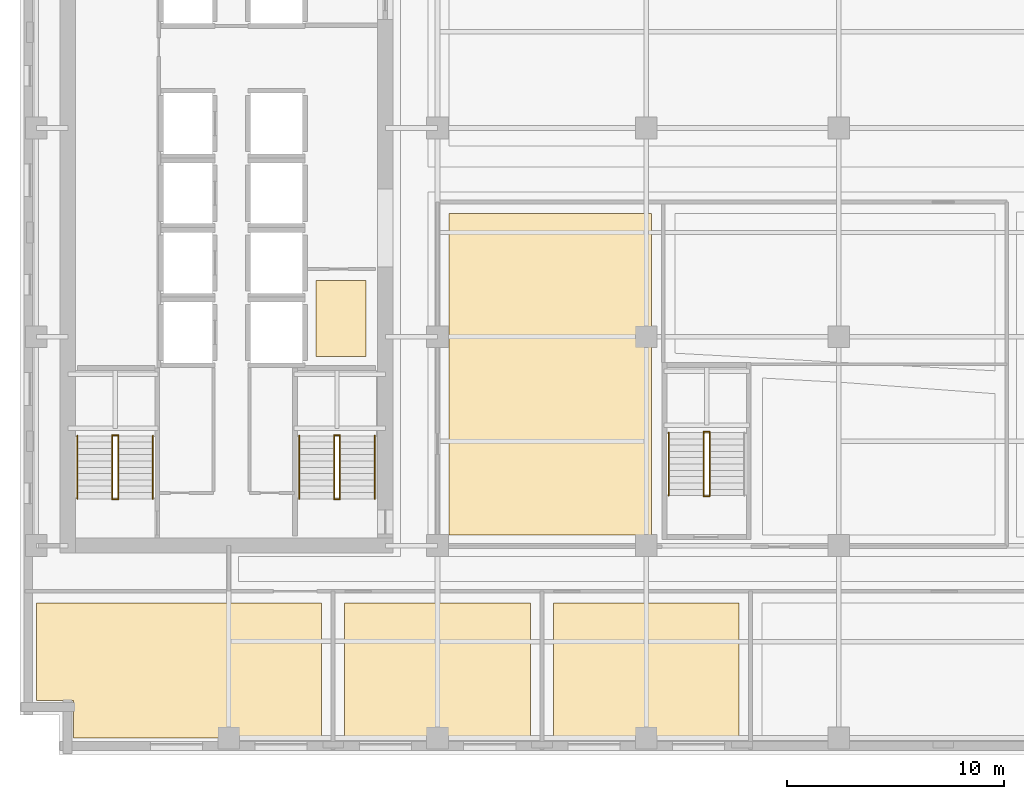
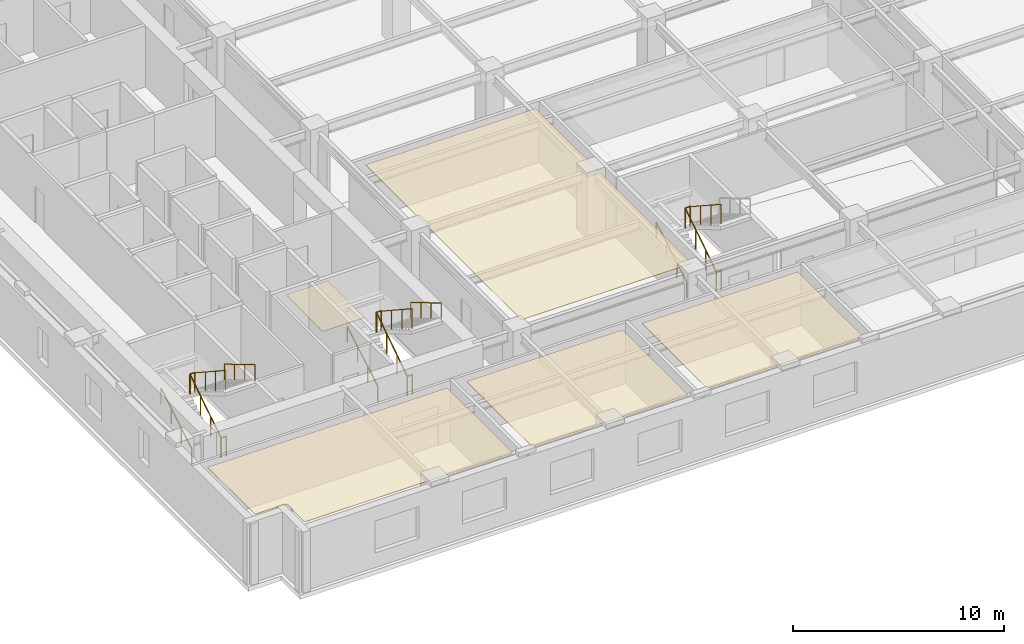
# One storey, part 7 of 11: 17 railings, 5 coverings.
"""IFC4 building model written with IfcOpenShell, lengths in metres."""

from ifc_helpers import new_model, si_unit, direction, frame, origin, origin_2d, place, context, subcontext, project, spatial, polyline, circle, outline, extrude, material, layer, layer_set, type_object, element, save


model = new_model("IFC4")

# Units and contexts
model_context = context("Model", 3, precision=1e-05, world=origin(), true_north=direction((0.0, 1.0)))
body_context = subcontext(model_context, "Body", "Model", "MODEL_VIEW")
ifc_project = project(units=[si_unit("LENGTHUNIT", "METRE"), si_unit("AREAUNIT", "SQUARE_METRE"), si_unit("VOLUMEUNIT", "CUBIC_METRE"), si_unit("PLANEANGLEUNIT", "RADIAN"), si_unit("MASSUNIT", "GRAM", prefix="KILO")], contexts=[model_context])

# Site, building, storey
site_placement = place(None, origin())
site = spatial("IfcSite", under=ifc_project, at=site_placement, CompositionType="ELEMENT")
building_placement = place(site_placement, origin())
building = spatial("IfcBuilding", under=site, at=building_placement, Name="Norrvale University Quadrangle", CompositionType="ELEMENT")
storey_placement = place(building_placement, frame((0.0, 0.0, 120.39990234375)))
storey = spatial("IfcBuildingStorey", under=building, at=storey_placement, Name="L30", CompositionType="ELEMENT", Elevation=120.39990234375)

# Coverings
ifc_material_1 = material(Name="Perforated Acoustic Mineral Ceiling")
ifc_layer_1 = layer(ifc_material_1, 0.02490234375, Name="Perforated Acoustic Mineral Ceiling")
ifc_layer_set_1 = layer_set([ifc_layer_1], Name="Perforated Acoustic Mineral Ceiling")
covering_type_1 = type_object("IfcCoveringType", Name="Covering Acoustic Ceiling 25", PredefinedType="CEILING", material=ifc_layer_set_1)
covering_1_placement = place(storey_placement, frame((0.0, 0.0, 3.51513671875)))
element("IfcCovering", 1, at=covering_1_placement, inside=storey, type_object=covering_type_1, Name="Acoustic Ceiling RM-L30-S01", PredefinedType="CEILING", context=body_context, shape_type="SweptSolid", body=[
    extrude(outline(polyline([(0.75, 6.969970703125), (13.8701171875, 6.969970703125), (13.8701171875, 0.75), (2.469970703125, 0.75), (2.469970703125, 2.469970703125), (0.75, 2.469970703125), (0.75, 6.969970703125)])), origin(), (0.0, 0.0, 1.0), 0.02490234375),
])
covering_2_placement = place(storey_placement, frame((0.0, 0.0, 3.51513671875)))
element("IfcCovering", 2, at=covering_2_placement, inside=storey, type_object=covering_type_1, Name="Acoustic Ceiling RM-L30-S02", PredefinedType="CEILING", context=body_context, shape_type="SweptSolid", body=[
    extrude(outline(polyline([(14.929931640625, 6.969970703125), (23.469970703125, 6.969970703125), (23.469970703125, 0.75), (14.929931640625, 0.75), (14.929931640625, 6.969970703125)])), origin(), (0.0, 0.0, 1.0), 0.02490234375),
])
covering_3_placement = place(storey_placement, frame((0.0, 0.0, 3.51513671875)))
element("IfcCovering", 3, at=covering_3_placement, inside=storey, type_object=covering_type_1, Name="Acoustic Ceiling RM-L30-S03", PredefinedType="CEILING", context=body_context, shape_type="SweptSolid", body=[
    extrude(outline(polyline([(24.530029296875, 6.969970703125), (33.070068359375, 6.969970703125), (33.070068359375, 0.75), (24.530029296875, 0.75), (24.530029296875, 6.969970703125)])), origin(), (0.0, 0.0, 1.0), 0.02490234375),
])
covering_4_placement = place(storey_placement, frame((0.0, 0.0, 3.51513671875)))
element("IfcCovering", 4, at=covering_4_placement, inside=storey, type_object=covering_type_1, Name="Acoustic Ceiling RM-L30-IW1", PredefinedType="CEILING", context=body_context, shape_type="SweptSolid", body=[
    extrude(outline(polyline([(19.72998046875, 10.080078125), (19.72998046875, 24.8701171875), (29.050048828125, 24.8701171875), (29.050048828125, 10.080078125), (19.72998046875, 10.080078125)])), origin(), (0.0, 0.0, 1.0), 0.02490234375),
])
ifc_material_2 = material(Name="Polished Terrazzo Flooring")
ifc_layer_2 = layer(ifc_material_2, 0.02490234375, Name="Polished Terrazzo Flooring")
ifc_layer_set_2 = layer_set([ifc_layer_2], Name="Polished Terrazzo Flooring")
covering_type_2 = type_object("IfcCoveringType", Name="Covering Terrazzo Floor 30", PredefinedType="FLOORING", material=ifc_layer_set_2)
covering_5_placement = place(storey_placement, origin())
element("IfcCovering", 5, at=covering_5_placement, inside=storey, type_object=covering_type_2, Name="Terrazzo Flooring RM-L30-JAN", PredefinedType="FLOORING", context=body_context, shape_type="SweptSolid", body=[
    extrude(outline(polyline([(13.60009765625, 18.300048828125), (13.60009765625, 21.800048828125), (15.89990234375, 21.800048828125), (15.89990234375, 18.300048828125), (13.60009765625, 18.300048828125)])), origin(), (0.0, 0.0, 1.0), 0.025146484375),
])

# Railings
ifc_material_3 = material(Name="Steel 350W Painted Balustrade", Category="steel")
railing_type_1 = type_object("IfcRailingType", Name="Railing Stair Guard 1100", PredefinedType="GUARDRAIL", material=ifc_material_3)
for number, where, name in (
    (6, (4.239990234375, 11.719970703125, 0.0), "Stair Floor Well Guard ST-01 L30"),
    (7, (4.239990234375, 14.679931640625, 1.900146484375), "Stair Mid-Landing Slot Guard ST-01 L30"),
):
    element("IfcRailing", number, at=place(storey_placement, frame(where)), inside=storey, type_object=railing_type_1, Name=name, PredefinedType="GUARDRAIL", context=body_context, shape_type="SweptSolid", body=[
        extrude(circle(Radius=0.02392578125, at=origin_2d()), frame((0.0, 0.0, 1.1259765625), z_axis=(1.0, 0.0, 0.0), x_axis=(0.0, 1.0, 0.0)), (0.0, 0.0, 1.0), 0.27001953125),
        extrude(circle(Radius=0.02099609375, at=origin_2d()), origin(), (0.0, 0.0, 1.0), 1.101806640625),
        extrude(circle(Radius=0.02099609375, at=origin_2d()), frame((0.27001953125, 0.0, 0.0)), (0.0, 0.0, 1.0), 1.101806640625),
    ])
railing_1_placement = place(storey_placement, frame((4.239990234375, 11.75, 0.0)))
element("IfcRailing", 8, at=railing_1_placement, inside=storey, type_object=railing_type_1, Name="Stair Lower Flight Inner Guard ST-01 L30", PredefinedType="GUARDRAIL", context=body_context, shape_type="SweptSolid", body=[
    extrude(circle(Radius=0.02392578125, at=origin_2d()), frame((0.0, 0.0, 1.1259765625), z_axis=(0.0, 0.836433300813, 0.548068730445), x_axis=(-1.0, 0.0, 0.0)), (0.0, 0.0, 1.0), 3.467041015625),
    extrude(circle(Radius=0.02099609375, at=origin_2d()), origin(), (0.0, 0.0, 1.0), 1.101806640625),
    extrude(circle(Radius=0.02099609375, at=origin_2d()), frame((0.0, 0.966552734375, 0.63330078125)), (0.0, 0.0, 1.0), 1.101806640625),
    extrude(circle(Radius=0.02099609375, at=origin_2d()), frame((0.0, 1.933349609375, 1.266845703125)), (0.0, 0.0, 1.0), 1.101806640625),
    extrude(circle(Radius=0.02099609375, at=origin_2d()), frame((0.0, 2.89990234375, 1.900146484375)), (0.0, 0.0, 1.0), 1.101806640625),
])
railing_2_placement = place(storey_placement, frame((4.510009765625, 14.64990234375, 1.900146484375)))
element("IfcRailing", 9, at=railing_2_placement, inside=storey, type_object=railing_type_1, Name="Stair Upper Flight Inner Guard ST-01 L30", PredefinedType="GUARDRAIL", context=body_context, shape_type="SweptSolid", body=[
    extrude(circle(Radius=0.02392578125, at=origin_2d()), frame((0.0, 0.0, 1.1259765625), z_axis=(0.0, -0.836465582154, 0.548019461216), x_axis=(1.0, 0.0, 0.0)), (0.0, 0.0, 1.0), 3.466796875),
    extrude(circle(Radius=0.02099609375, at=origin_2d()), origin(), (0.0, 0.0, 1.0), 1.101806640625),
    extrude(circle(Radius=0.02099609375, at=origin_2d()), frame((0.0, -0.966552734375, 0.63330078125)), (0.0, 0.0, 1.0), 1.101806640625),
    extrude(circle(Radius=0.02099609375, at=origin_2d()), frame((0.0, -1.933349609375, 1.2666015625)), (0.0, 0.0, 1.0), 1.101806640625),
    extrude(circle(Radius=0.02099609375, at=origin_2d()), frame((0.0, -2.89990234375, 1.89990234375)), (0.0, 0.0, 1.0), 1.101806640625),
])
for number, where, name in (
    (10, (14.43994140625, 11.719970703125, 0.0), "Stair Floor Well Guard ST-03 L30"),
    (11, (14.43994140625, 14.679931640625, 1.900146484375), "Stair Mid-Landing Slot Guard ST-03 L30"),
):
    element("IfcRailing", number, at=place(storey_placement, frame(where)), inside=storey, type_object=railing_type_1, Name=name, PredefinedType="GUARDRAIL", context=body_context, shape_type="SweptSolid", body=[
        extrude(circle(Radius=0.02392578125, at=origin_2d()), frame((0.0, 0.0, 1.1259765625), z_axis=(1.0, 0.0, 0.0), x_axis=(0.0, 1.0, 0.0)), (0.0, 0.0, 1.0), 0.27001953125),
        extrude(circle(Radius=0.02099609375, at=origin_2d()), origin(), (0.0, 0.0, 1.0), 1.101806640625),
        extrude(circle(Radius=0.02099609375, at=origin_2d()), frame((0.27001953125, 0.0, 0.0)), (0.0, 0.0, 1.0), 1.101806640625),
    ])
railing_3_placement = place(storey_placement, frame((14.43994140625, 11.75, 0.0)))
element("IfcRailing", 12, at=railing_3_placement, inside=storey, type_object=railing_type_1, Name="Stair Lower Flight Inner Guard ST-03 L30", PredefinedType="GUARDRAIL", context=body_context, shape_type="SweptSolid", body=[
    extrude(circle(Radius=0.02392578125, at=origin_2d()), frame((0.0, 0.0, 1.1259765625), z_axis=(0.0, 0.836433300813, 0.548068730445), x_axis=(-1.0, 0.0, 0.0)), (0.0, 0.0, 1.0), 3.467041015625),
    extrude(circle(Radius=0.02099609375, at=origin_2d()), origin(), (0.0, 0.0, 1.0), 1.101806640625),
    extrude(circle(Radius=0.02099609375, at=origin_2d()), frame((0.0, 0.966552734375, 0.63330078125)), (0.0, 0.0, 1.0), 1.101806640625),
    extrude(circle(Radius=0.02099609375, at=origin_2d()), frame((0.0, 1.933349609375, 1.266845703125)), (0.0, 0.0, 1.0), 1.101806640625),
    extrude(circle(Radius=0.02099609375, at=origin_2d()), frame((0.0, 2.89990234375, 1.900146484375)), (0.0, 0.0, 1.0), 1.101806640625),
])
railing_4_placement = place(storey_placement, frame((14.7099609375, 14.64990234375, 1.900146484375)))
element("IfcRailing", 13, at=railing_4_placement, inside=storey, type_object=railing_type_1, Name="Stair Upper Flight Inner Guard ST-03 L30", PredefinedType="GUARDRAIL", context=body_context, shape_type="SweptSolid", body=[
    extrude(circle(Radius=0.02392578125, at=origin_2d()), frame((0.0, 0.0, 1.1259765625), z_axis=(0.0, -0.836465582154, 0.548019461216), x_axis=(1.0, 0.0, 0.0)), (0.0, 0.0, 1.0), 3.466796875),
    extrude(circle(Radius=0.02099609375, at=origin_2d()), origin(), (0.0, 0.0, 1.0), 1.101806640625),
    extrude(circle(Radius=0.02099609375, at=origin_2d()), frame((0.0, -0.966552734375, 0.63330078125)), (0.0, 0.0, 1.0), 1.101806640625),
    extrude(circle(Radius=0.02099609375, at=origin_2d()), frame((0.0, -1.933349609375, 1.2666015625)), (0.0, 0.0, 1.0), 1.101806640625),
    extrude(circle(Radius=0.02099609375, at=origin_2d()), frame((0.0, -2.89990234375, 1.89990234375)), (0.0, 0.0, 1.0), 1.101806640625),
])
for number, where, name in (
    (14, (31.43994140625, 11.8701171875, 0.0), "Stair Floor Well Guard ST-04 L30"),
    (15, (31.43994140625, 14.830078125, 1.900146484375), "Stair Mid-Landing Slot Guard ST-04 L30"),
):
    element("IfcRailing", number, at=place(storey_placement, frame(where)), inside=storey, type_object=railing_type_1, Name=name, PredefinedType="GUARDRAIL", context=body_context, shape_type="SweptSolid", body=[
        extrude(circle(Radius=0.02392578125, at=origin_2d()), frame((0.0, 0.0, 1.1259765625), z_axis=(1.0, 0.0, 0.0), x_axis=(0.0, 1.0, 0.0)), (0.0, 0.0, 1.0), 0.27001953125),
        extrude(circle(Radius=0.02099609375, at=origin_2d()), origin(), (0.0, 0.0, 1.0), 1.101806640625),
        extrude(circle(Radius=0.02099609375, at=origin_2d()), frame((0.27001953125, 0.0, 0.0)), (0.0, 0.0, 1.0), 1.101806640625),
    ])
railing_5_placement = place(storey_placement, frame((31.43994140625, 11.89990234375, 0.0)))
element("IfcRailing", 16, at=railing_5_placement, inside=storey, type_object=railing_type_1, Name="Stair Lower Flight Inner Guard ST-04 L30", PredefinedType="GUARDRAIL", context=body_context, shape_type="SweptSolid", body=[
    extrude(circle(Radius=0.02392578125, at=origin_2d()), frame((0.0, 0.0, 1.1259765625), z_axis=(0.0, 0.836454451266, 0.548036450392), x_axis=(-1.0, 0.0, 0.0)), (0.0, 0.0, 1.0), 3.46728515625),
    extrude(circle(Radius=0.02099609375, at=origin_2d()), origin(), (0.0, 0.0, 1.0), 1.101806640625),
    extrude(circle(Radius=0.02099609375, at=origin_2d()), frame((0.0, 0.966796875, 0.63330078125)), (0.0, 0.0, 1.0), 1.101806640625),
    extrude(circle(Radius=0.02099609375, at=origin_2d()), frame((0.0, 1.933349609375, 1.266845703125)), (0.0, 0.0, 1.0), 1.101806640625),
    extrude(circle(Radius=0.02099609375, at=origin_2d()), frame((0.0, 2.900146484375, 1.900146484375)), (0.0, 0.0, 1.0), 1.101806640625),
])
railing_6_placement = place(storey_placement, frame((31.7099609375, 14.800048828125, 1.900146484375)))
element("IfcRailing", 17, at=railing_6_placement, inside=storey, type_object=railing_type_1, Name="Stair Upper Flight Inner Guard ST-04 L30", PredefinedType="GUARDRAIL", context=body_context, shape_type="SweptSolid", body=[
    extrude(circle(Radius=0.02392578125, at=origin_2d()), frame((0.0, 0.0, 1.1259765625), z_axis=(0.0, -0.836486729621, 0.547987181573), x_axis=(1.0, 0.0, 0.0)), (0.0, 0.0, 1.0), 3.467041015625),
    extrude(circle(Radius=0.02099609375, at=origin_2d()), origin(), (0.0, 0.0, 1.0), 1.101806640625),
    extrude(circle(Radius=0.02099609375, at=origin_2d()), frame((0.0, -0.966796875, 0.63330078125)), (0.0, 0.0, 1.0), 1.101806640625),
    extrude(circle(Radius=0.02099609375, at=origin_2d()), frame((0.0, -1.933349609375, 1.2666015625)), (0.0, 0.0, 1.0), 1.101806640625),
    extrude(circle(Radius=0.02099609375, at=origin_2d()), frame((0.0, -2.900146484375, 1.89990234375)), (0.0, 0.0, 1.0), 1.101806640625),
])
ifc_material_4 = material(Name="Stainless Steel 316L Handrail", Category="steel")
railing_type_2 = type_object("IfcRailingType", Name="Railing Stair Handrail 920", PredefinedType="HANDRAIL", material=ifc_material_4)
railing_7_placement = place(storey_placement, frame((2.639892578125, 11.75, 0.1728515625)))
element("IfcRailing", 18, at=railing_7_placement, inside=storey, type_object=railing_type_2, Name="Stair Lower Flight Handrail ST-01 L30", PredefinedType="HANDRAIL", context=body_context, shape_type="SweptSolid", body=[
    extrude(circle(Radius=0.02392578125, at=origin_2d()), frame((0.0, 0.0, 0.89599609375), z_axis=(0.0, 0.859141464434, 0.511738159696), x_axis=(-1.0, 0.0, 0.0)), (0.0, 0.0, 1.0), 3.375244140625),
    extrude(circle(Radius=0.02099609375, at=origin_2d()), origin(), (0.0, 0.0, 1.0), 0.871826171875),
    extrude(circle(Radius=0.02099609375, at=origin_2d()), frame((0.0, 0.966552734375, 0.57568359375)), (0.0, 0.0, 1.0), 0.871826171875),
    extrude(circle(Radius=0.02099609375, at=origin_2d()), frame((0.0, 1.933349609375, 1.151611328125)), (0.0, 0.0, 1.0), 0.871826171875),
    extrude(circle(Radius=0.02099609375, at=origin_2d()), frame((0.0, 2.89990234375, 1.727294921875)), (0.0, 0.0, 1.0), 0.871826171875),
])
railing_8_placement = place(storey_placement, frame((6.110107421875, 14.64990234375, 2.07275390625)))
element("IfcRailing", 19, at=railing_8_placement, inside=storey, type_object=railing_type_2, Name="Stair Upper Flight Handrail ST-01 L30", PredefinedType="HANDRAIL", context=body_context, shape_type="SweptSolid", body=[
    extrude(circle(Radius=0.02392578125, at=origin_2d()), frame((0.0, 0.0, 0.89599609375), z_axis=(0.0, -0.859141464434, 0.511738159696), x_axis=(1.0, 0.0, 0.0)), (0.0, 0.0, 1.0), 3.375244140625),
    extrude(circle(Radius=0.02099609375, at=origin_2d()), origin(), (0.0, 0.0, 1.0), 0.871826171875),
    extrude(circle(Radius=0.02099609375, at=origin_2d()), frame((0.0, -0.966552734375, 0.57568359375)), (0.0, 0.0, 1.0), 0.871826171875),
    extrude(circle(Radius=0.02099609375, at=origin_2d()), frame((0.0, -1.933349609375, 1.151611328125)), (0.0, 0.0, 1.0), 0.871826171875),
    extrude(circle(Radius=0.02099609375, at=origin_2d()), frame((0.0, -2.89990234375, 1.727294921875)), (0.0, 0.0, 1.0), 0.871826171875),
])
railing_9_placement = place(storey_placement, frame((12.840087890625, 11.75, 0.1728515625)))
element("IfcRailing", 20, at=railing_9_placement, inside=storey, type_object=railing_type_2, Name="Stair Lower Flight Handrail ST-03 L30", PredefinedType="HANDRAIL", context=body_context, shape_type="SweptSolid", body=[
    extrude(circle(Radius=0.02392578125, at=origin_2d()), frame((0.0, 0.0, 0.89599609375), z_axis=(0.0, 0.859141464434, 0.511738159696), x_axis=(-1.0, 0.0, 0.0)), (0.0, 0.0, 1.0), 3.375244140625),
    extrude(circle(Radius=0.02099609375, at=origin_2d()), origin(), (0.0, 0.0, 1.0), 0.871826171875),
    extrude(circle(Radius=0.02099609375, at=origin_2d()), frame((0.0, 0.966552734375, 0.57568359375)), (0.0, 0.0, 1.0), 0.871826171875),
    extrude(circle(Radius=0.02099609375, at=origin_2d()), frame((0.0, 1.933349609375, 1.151611328125)), (0.0, 0.0, 1.0), 0.871826171875),
    extrude(circle(Radius=0.02099609375, at=origin_2d()), frame((0.0, 2.89990234375, 1.727294921875)), (0.0, 0.0, 1.0), 0.871826171875),
])
railing_10_placement = place(storey_placement, frame((16.31005859375, 14.64990234375, 2.07275390625)))
element("IfcRailing", 21, at=railing_10_placement, inside=storey, type_object=railing_type_2, Name="Stair Upper Flight Handrail ST-03 L30", PredefinedType="HANDRAIL", context=body_context, shape_type="SweptSolid", body=[
    extrude(circle(Radius=0.02392578125, at=origin_2d()), frame((0.0, 0.0, 0.89599609375), z_axis=(0.0, -0.859141464434, 0.511738159696), x_axis=(1.0, 0.0, 0.0)), (0.0, 0.0, 1.0), 3.375244140625),
    extrude(circle(Radius=0.02099609375, at=origin_2d()), origin(), (0.0, 0.0, 1.0), 0.871826171875),
    extrude(circle(Radius=0.02099609375, at=origin_2d()), frame((0.0, -0.966552734375, 0.57568359375)), (0.0, 0.0, 1.0), 0.871826171875),
    extrude(circle(Radius=0.02099609375, at=origin_2d()), frame((0.0, -1.933349609375, 1.151611328125)), (0.0, 0.0, 1.0), 0.871826171875),
    extrude(circle(Radius=0.02099609375, at=origin_2d()), frame((0.0, -2.89990234375, 1.727294921875)), (0.0, 0.0, 1.0), 0.871826171875),
])
railing_11_placement = place(storey_placement, frame((29.840087890625, 11.89990234375, 0.1728515625)))
element("IfcRailing", 22, at=railing_11_placement, inside=storey, type_object=railing_type_2, Name="Stair Lower Flight Handrail ST-04 L30", PredefinedType="HANDRAIL", context=body_context, shape_type="SweptSolid", body=[
    extrude(circle(Radius=0.02392578125, at=origin_2d()), frame((0.0, 0.0, 0.89599609375), z_axis=(0.0, 0.859160404282, 0.51170636083), x_axis=(-1.0, 0.0, 0.0)), (0.0, 0.0, 1.0), 3.37548828125),
    extrude(circle(Radius=0.02099609375, at=origin_2d()), origin(), (0.0, 0.0, 1.0), 0.871826171875),
    extrude(circle(Radius=0.02099609375, at=origin_2d()), frame((0.0, 0.966796875, 0.57568359375)), (0.0, 0.0, 1.0), 0.871826171875),
    extrude(circle(Radius=0.02099609375, at=origin_2d()), frame((0.0, 1.933349609375, 1.151611328125)), (0.0, 0.0, 1.0), 0.871826171875),
    extrude(circle(Radius=0.02099609375, at=origin_2d()), frame((0.0, 2.900146484375, 1.727294921875)), (0.0, 0.0, 1.0), 0.871826171875),
])

save(model, "model.ifc")
